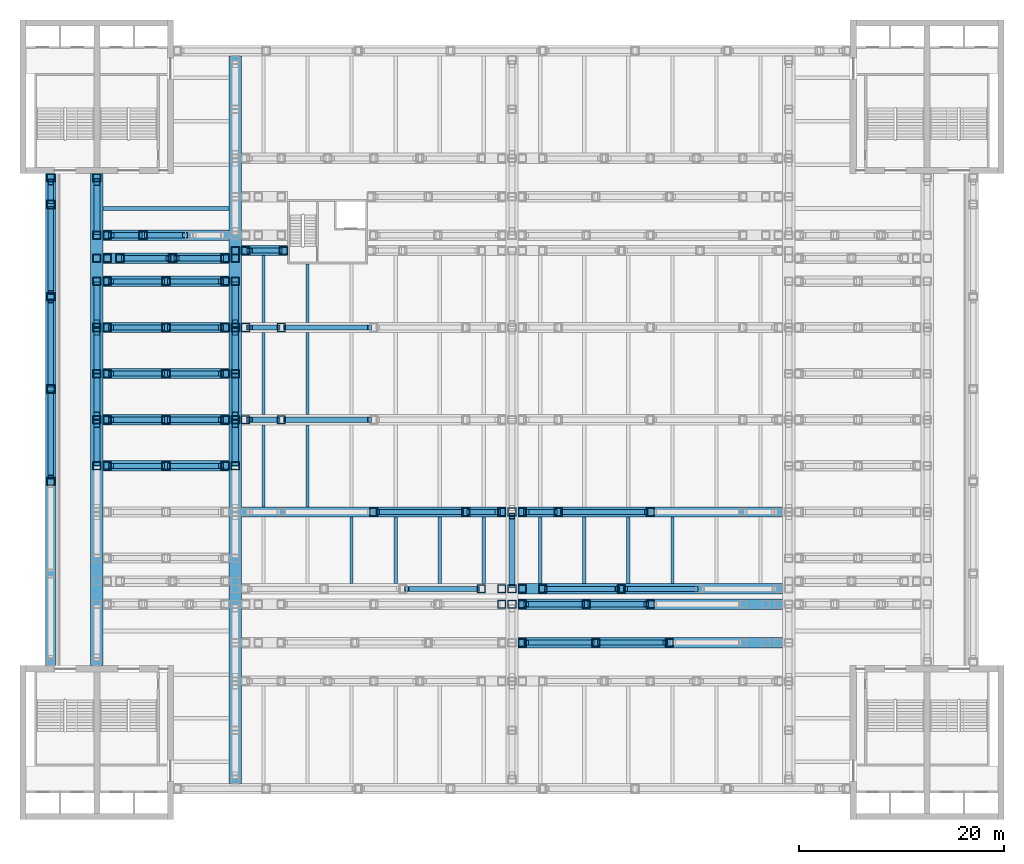
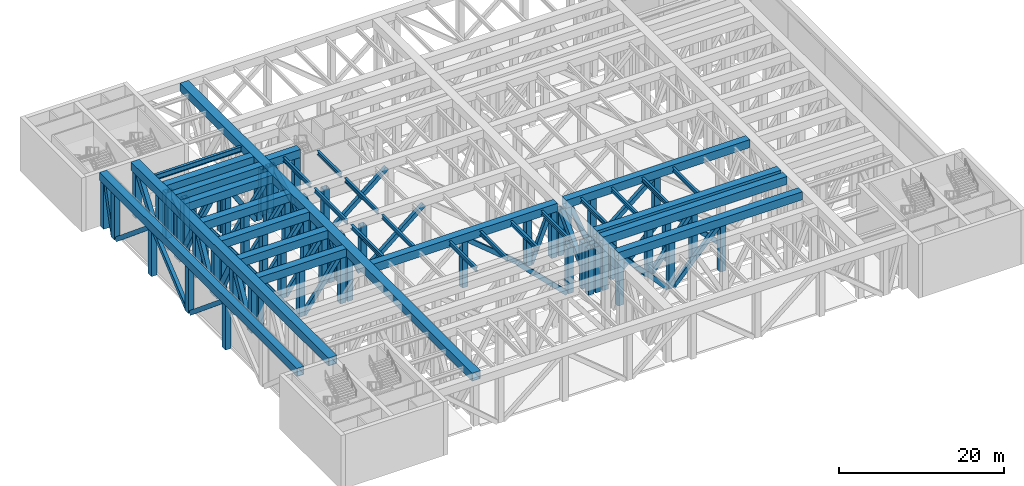
# One storey, part 2 of 20: 128 members, 15 beams.
"""IFC4 building model written with IfcOpenShell, lengths in metres."""

from ifc_helpers import new_model, si_unit, direction, frame, origin, origin_2d, place, context, subcontext, project, spatial, hollow_rectangle, i_section, extrude, material, material_profile, profile_set, type_object, element, save


model = new_model("IFC4")

# Units and contexts
model_context = context("Model", 3, precision=1e-05, world=origin(), true_north=direction((0.0, 1.0)))
body_context = subcontext(model_context, "Body", "Model", "MODEL_VIEW")
ifc_project = project(units=[si_unit("LENGTHUNIT", "METRE"), si_unit("AREAUNIT", "SQUARE_METRE"), si_unit("VOLUMEUNIT", "CUBIC_METRE"), si_unit("PLANEANGLEUNIT", "RADIAN"), si_unit("MASSUNIT", "GRAM", prefix="KILO")], contexts=[model_context])

# Site, building, storey
site_placement = place(None, origin())
site = spatial("IfcSite", under=ifc_project, at=site_placement, CompositionType="ELEMENT")
building_placement = place(site_placement, origin())
building = spatial("IfcBuilding", under=site, at=building_placement, Name="Corbelhall Arena Tower", CompositionType="ELEMENT")
storey_placement = place(building_placement, frame((0.0, 0.0, 44.0)))
storey = spatial("IfcBuildingStorey", under=building, at=storey_placement, Name="L06", CompositionType="ELEMENT", Elevation=44.0)

# Beams
ifc_material_1 = material(Name="Steel ASTM A992 Gr50", Category="steel")
ifc_material_profile_1 = material_profile(ifc_material_1, i_section(OverallWidth=0.323974609375, OverallDepth=0.611083984375, WebThickness=0.0126953125, FlangeThickness=0.01904296875, at=origin_2d()))
ifc_profile_set_1 = profile_set([ifc_material_profile_1], Name="Steel ASTM A992 Gr50")
beam_type_1 = type_object("IfcBeamType", Name="PO-BEAM-W24X104", PredefinedType="BEAM", material=ifc_profile_set_1)
for number, where, z_axis, x_axis, name in (
    (1, (-15.64990234375, -16.0, 7.39453125), (0.0, 1.0, 0.0), (-1.0, 0.0, 0.0), "DECK BEAM MID 21.3"),
    (2, (-11.35009765625, -16.0, 7.39453125), (0.0, 1.0, 0.0), (-1.0, 0.0, 0.0), "DECK BEAM MID 21.4"),
    (3, (-7.050048828125, -16.0, 7.39453125), (0.0, 1.0, 0.0), (-1.0, 0.0, 0.0), "DECK BEAM MID 21.5"),
    (4, (-2.75, -16.0, 7.39453125), (0.0, 1.0, 0.0), (-1.0, 0.0, 0.0), "DECK BEAM MID 21.6"),
):
    element("IfcBeam", number, at=place(storey_placement, frame(where, z_axis=z_axis, x_axis=x_axis)), inside=storey, type_object=beam_type_1, Name=name, PredefinedType="BEAM", context=body_context, shape_type="SweptSolid", body=[
        extrude(i_section(OverallWidth=0.323974609375, OverallDepth=0.611083984375, WebThickness=0.0126953125, FlangeThickness=0.01904296875, at=origin_2d()), origin(), (0.0, 0.0, 1.0), 6.5),
    ])
for number, where, z_axis, x_axis, name in (
    (5, (-24.25, -8.5, 7.39453125), (0.0, 1.0, 0.0), (-1.0, 0.0, 0.0), "DECK BEAM MID 22.1"),
    (6, (-19.949951171875, -8.5, 7.39453125), (0.0, 1.0, 0.0), (-1.0, 0.0, 0.0), "DECK BEAM MID 22.2"),
    (7, (-24.25, 0.5, 7.39453125), (0.0, 1.0, 0.0), (-1.0, 0.0, 0.0), "DECK BEAM MID 23.1"),
    (8, (-19.949951171875, 0.5, 7.39453125), (0.0, 1.0, 0.0), (-1.0, 0.0, 0.0), "DECK BEAM MID 23.2"),
):
    element("IfcBeam", number, at=place(storey_placement, frame(where, z_axis=z_axis, x_axis=x_axis)), inside=storey, type_object=beam_type_1, Name=name, PredefinedType="BEAM", context=body_context, shape_type="SweptSolid", body=[
        extrude(i_section(OverallWidth=0.323974609375, OverallDepth=0.611083984375, WebThickness=0.0126953125, FlangeThickness=0.01904296875, at=origin_2d()), origin(), (0.0, 0.0, 1.0), 8.0),
    ])
beam_1_placement = place(storey_placement, frame((-24.25, 9.5, 7.39453125), z_axis=(0.0, 1.0, 0.0), x_axis=(-1.0, 0.0, 0.0)))
element("IfcBeam", 9, at=beam_1_placement, inside=storey, type_object=beam_type_1, Name="DECK BEAM MID 25.1", PredefinedType="BEAM", context=body_context, shape_type="SweptSolid", body=[
    extrude(i_section(OverallWidth=0.323974609375, OverallDepth=0.611083984375, WebThickness=0.0126953125, FlangeThickness=0.01904296875, at=origin_2d()), origin(), (0.0, 0.0, 1.0), 6.5),
])
beam_2_placement = place(storey_placement, frame((-19.949951171875, 9.5, 7.39453125), z_axis=(0.0, 1.0, 0.0), x_axis=(-1.0, 0.0, 0.0)))
element("IfcBeam", 10, at=beam_2_placement, inside=storey, type_object=beam_type_1, Name="DECK BEAM MID 25.2", PredefinedType="BEAM", context=body_context, shape_type="SweptSolid", body=[
    extrude(i_section(OverallWidth=0.323974609375, OverallDepth=0.611083984375, WebThickness=0.0126953125, FlangeThickness=0.01904296875, at=origin_2d()), origin(), (0.0, 0.0, 1.0), 5.699951171875),
])
for number, where, z_axis, x_axis, name in (
    (11, (2.75, -16.0, 7.39453125), (0.0, 1.0, 0.0), (-1.0, 0.0, 0.0), "DECK BEAM MID 32.1"),
    (12, (7.050048828125, -16.0, 7.39453125), (0.0, 1.0, 0.0), (-1.0, 0.0, 0.0), "DECK BEAM MID 32.2"),
    (13, (11.35009765625, -16.0, 7.39453125), (0.0, 1.0, 0.0), (-1.0, 0.0, 0.0), "DECK BEAM MID 32.3"),
    (14, (15.64990234375, -16.0, 7.39453125), (0.0, 1.0, 0.0), (-1.0, 0.0, 0.0), "DECK BEAM MID 32.4"),
):
    element("IfcBeam", number, at=place(storey_placement, frame(where, z_axis=z_axis, x_axis=x_axis)), inside=storey, type_object=beam_type_1, Name=name, PredefinedType="BEAM", context=body_context, shape_type="SweptSolid", body=[
        extrude(i_section(OverallWidth=0.323974609375, OverallDepth=0.611083984375, WebThickness=0.0126953125, FlangeThickness=0.01904296875, at=origin_2d()), origin(), (0.0, 0.0, 1.0), 6.5),
    ])
ifc_material_profile_2 = material_profile(ifc_material_1, i_section(OverallWidth=0.381103515625, OverallDepth=0.77294921875, WebThickness=0.0166015625, FlangeThickness=0.027099609375, at=origin_2d()))
ifc_profile_set_2 = profile_set([ifc_material_profile_2], Name="Steel ASTM A992 Gr50")
beam_type_2 = type_object("IfcBeamType", Name="PO-BEAM-W30X173", PredefinedType="BEAM", material=ifc_profile_set_2)
beam_3_placement = place(storey_placement, frame((-39.89990234375, 20.625, 7.3134765625), z_axis=(1.0, 0.0, 0.0), x_axis=(0.0, 1.0, 0.0)))
element("IfcBeam", 15, at=beam_3_placement, inside=storey, type_object=beam_type_2, Name="DECK BEAM MID 13.1", PredefinedType="BEAM", context=body_context, shape_type="SweptSolid", body=[
    extrude(i_section(OverallWidth=0.381103515625, OverallDepth=0.77294921875, WebThickness=0.0166015625, FlangeThickness=0.027099609375, at=origin_2d()), origin(), (0.0, 0.0, 1.0), 12.2998046875),
])

# Members
ifc_material_2 = material(Name="Steel ASTM A572 Gr50", Category="steel")
ifc_material_profile_3 = material_profile(ifc_material_2, hollow_rectangle(XDim=0.5, YDim=0.60009765625, WallThickness=0.030029296875, at=origin_2d()))
ifc_profile_set_3 = profile_set([ifc_material_profile_3], Name="Steel ASTM A572 Gr50")
member_type_1 = type_object("IfcMemberType", Name="PO-BRACE-600X500X30", PredefinedType="BRACE", material=ifc_profile_set_3)
for number, where, z_axis, x_axis, name in (
    (16, (-45.0, -5.60009765625, 6.800048828125), (0.0, 0.769763178873, -0.638329576669), (-1.0, 0.0, 0.0), "TRUSS EDGE-W BRACE 1.3"),
    (17, (-45.0, 3.39990234375, 0.0), (0.0, 0.769763178873, 0.638329576669), (-1.0, 0.0, 0.0), "TRUSS EDGE-W BRACE 1.4"),
    (18, (-45.0, 12.39990234375, 6.800048828125), (0.0, 0.769763178873, -0.638329576669), (-1.0, 0.0, 0.0), "TRUSS EDGE-W BRACE 1.5"),
):
    element("IfcMember", number, at=place(storey_placement, frame(where, z_axis=z_axis, x_axis=x_axis)), inside=storey, type_object=member_type_1, Name=name, PredefinedType="BRACE", context=body_context, shape_type="SweptSolid", body=[
        extrude(hollow_rectangle(XDim=0.5, YDim=0.60009765625, WallThickness=0.030029296875, at=origin_2d()), origin(), (0.0, 0.0, 1.0), 10.65283203125),
    ])
member_1_placement = place(storey_placement, frame((-45.0, 21.39990234375, 0.0), z_axis=(0.0, 0.255897330119, 0.966703965254), x_axis=(-1.0, 0.0, 0.0)))
element("IfcMember", 19, at=member_1_placement, inside=storey, type_object=member_type_1, Name="TRUSS EDGE-W BRACE 1.6", PredefinedType="BRACE", context=body_context, shape_type="SweptSolid", body=[
    extrude(hollow_rectangle(XDim=0.5, YDim=0.60009765625, WallThickness=0.030029296875, at=origin_2d()), origin(), (0.0, 0.0, 1.0), 7.0341796875),
])
for number, where, z_axis, x_axis, name in (
    (20, (1.39990234375, -21.75, 6.800048828125), (0.683464108742, 0.0, -0.729984117677), (0.0, 1.0, 0.0), "TRUSS SEC-S21.75-2 BRACE 1.1"),
    (21, (8.566650390625, -21.75, 0.0), (0.683464108742, 0.0, 0.729984117677), (0.0, 1.0, 0.0), "TRUSS SEC-S21.75-2 BRACE 1.2"),
):
    element("IfcMember", number, at=place(storey_placement, frame(where, z_axis=z_axis, x_axis=x_axis)), inside=storey, type_object=member_type_1, Name=name, PredefinedType="BRACE", context=body_context, shape_type="SweptSolid", body=[
        extrude(hollow_rectangle(XDim=0.5, YDim=0.60009765625, WallThickness=0.030029296875, at=origin_2d()), origin(), (0.0, 0.0, 1.0), 9.3154296875),
    ])
for number, where, z_axis, x_axis, name in (
    (22, (1.39990234375, -18.0, 6.800048828125), (0.625405411621, 0.0, -0.780299987899), (0.0, 1.0, 0.0), "TRUSS SEC-S18.00-2 BRACE 1.1"),
    (23, (7.64990234375, -18.0, 0.0), (0.625405411621, 0.0, 0.780299987899), (0.0, 1.0, 0.0), "TRUSS SEC-S18.00-2 BRACE 1.2"),
):
    element("IfcMember", number, at=place(storey_placement, frame(where, z_axis=z_axis, x_axis=x_axis)), inside=storey, type_object=member_type_1, Name=name, PredefinedType="BRACE", context=body_context, shape_type="SweptSolid", body=[
        extrude(hollow_rectangle(XDim=0.5, YDim=0.60009765625, WallThickness=0.030029296875, at=origin_2d()), origin(), (0.0, 0.0, 1.0), 8.714599609375),
    ])
for number, where, z_axis, x_axis, name in (
    (24, (-10.2666015625, -16.5, 6.800048828125), (0.71054677033, 0.0, -0.703649974898), (0.0, 1.0, 0.0), "TRUSS SEC-S16.50-1 BRACE 1.3"),
    (25, (3.39990234375, -16.5, 0.0), (0.71054677033, 0.0, 0.703649974898), (0.0, 1.0, 0.0), "TRUSS SEC-S16.50-2 BRACE 1.2"),
    (26, (11.066650390625, -16.5, 6.800048828125), (0.71054677033, 0.0, -0.703649974898), (0.0, 1.0, 0.0), "TRUSS SEC-S16.50-2 BRACE 1.3"),
):
    element("IfcMember", number, at=place(storey_placement, frame(where, z_axis=z_axis, x_axis=x_axis)), inside=storey, type_object=member_type_1, Name=name, PredefinedType="BRACE", context=body_context, shape_type="SweptSolid", body=[
        extrude(hollow_rectangle(XDim=0.5, YDim=0.60009765625, WallThickness=0.030029296875, at=origin_2d()), origin(), (0.0, 0.0, 1.0), 9.6640625),
    ])
member_2_placement = place(storey_placement, frame((-13.10009765625, -9.0, 6.800048828125), z_axis=(0.769763178873, 0.0, -0.638329576669), x_axis=(0.0, 1.0, 0.0)))
element("IfcMember", 27, at=member_2_placement, inside=storey, type_object=member_type_1, Name="TRUSS SEC-S09.00-1 BRACE 1.3", PredefinedType="BRACE", context=body_context, shape_type="SweptSolid", body=[
    extrude(hollow_rectangle(XDim=0.5, YDim=0.60009765625, WallThickness=0.030029296875, at=origin_2d()), origin(), (0.0, 0.0, 1.0), 10.65283203125),
])
for number, where, z_axis, x_axis, name in (
    (28, (-4.10009765625, -9.0, 0.0), (0.369053718093, 0.0, 0.929408066008), (0.0, 1.0, 0.0), "TRUSS SEC-S09.00-1 BRACE 1.4"),
    (29, (1.39990234375, -9.0, 6.800048828125), (0.369053718093, 0.0, -0.929408066008), (0.0, 1.0, 0.0), "TRUSS SEC-S09.00-2 BRACE 1.1"),
):
    element("IfcMember", number, at=place(storey_placement, frame(where, z_axis=z_axis, x_axis=x_axis)), inside=storey, type_object=member_type_1, Name=name, PredefinedType="BRACE", context=body_context, shape_type="SweptSolid", body=[
        extrude(hollow_rectangle(XDim=0.5, YDim=0.60009765625, WallThickness=0.030029296875, at=origin_2d()), origin(), (0.0, 0.0, 1.0), 7.316650390625),
    ])
member_3_placement = place(storey_placement, frame((4.89990234375, -9.0, 0.0), z_axis=(0.769763178873, 0.0, 0.638329576669), x_axis=(0.0, 1.0, 0.0)))
element("IfcMember", 30, at=member_3_placement, inside=storey, type_object=member_type_1, Name="TRUSS SEC-S09.00-2 BRACE 1.2", PredefinedType="BRACE", context=body_context, shape_type="SweptSolid", body=[
    extrude(hollow_rectangle(XDim=0.5, YDim=0.60009765625, WallThickness=0.030029296875, at=origin_2d()), origin(), (0.0, 0.0, 1.0), 10.65283203125),
])
for number, where, z_axis, x_axis, name in (
    (31, (-39.10009765625, -4.5, 6.800048828125), (0.588537525925, 0.0, -0.808469900848), (0.0, 1.0, 0.0), "TRUSS SEC-S04.50-0 BRACE 1.1"),
    (32, (-33.35009765625, -4.5, 0.0), (0.588537525925, 0.0, 0.808469900848), (0.0, 1.0, 0.0), "TRUSS SEC-S04.50-0 BRACE 1.2"),
    (33, (-39.10009765625, 0.0, 6.800048828125), (0.588537525925, 0.0, -0.808469900848), (0.0, 1.0, 0.0), "TRUSS SEC-N00.00-0 BRACE 1.1"),
    (34, (-33.35009765625, 0.0, 0.0), (0.588537525925, 0.0, 0.808469900848), (0.0, 1.0, 0.0), "TRUSS SEC-N00.00-0 BRACE 1.2"),
):
    element("IfcMember", number, at=place(storey_placement, frame(where, z_axis=z_axis, x_axis=x_axis)), inside=storey, type_object=member_type_1, Name=name, PredefinedType="BRACE", context=body_context, shape_type="SweptSolid", body=[
        extrude(hollow_rectangle(XDim=0.5, YDim=0.60009765625, WallThickness=0.030029296875, at=origin_2d()), origin(), (0.0, 0.0, 1.0), 8.410888671875),
    ])
member_4_placement = place(storey_placement, frame((-25.60009765625, 0.0, 6.800048828125), z_axis=(0.369053718093, 0.0, -0.929408066008), x_axis=(0.0, 1.0, 0.0)))
element("IfcMember", 35, at=member_4_placement, inside=storey, type_object=member_type_1, Name="TRUSS SEC-N00.00-1 BRACE 1.1", PredefinedType="BRACE", context=body_context, shape_type="SweptSolid", body=[
    extrude(hollow_rectangle(XDim=0.5, YDim=0.60009765625, WallThickness=0.030029296875, at=origin_2d()), origin(), (0.0, 0.0, 1.0), 7.316650390625),
])
member_5_placement = place(storey_placement, frame((-22.10009765625, 0.0, 0.0), z_axis=(0.769763178873, 0.0, 0.638329576669), x_axis=(0.0, 1.0, 0.0)))
element("IfcMember", 36, at=member_5_placement, inside=storey, type_object=member_type_1, Name="TRUSS SEC-N00.00-1 BRACE 1.2", PredefinedType="BRACE", context=body_context, shape_type="SweptSolid", body=[
    extrude(hollow_rectangle(XDim=0.5, YDim=0.60009765625, WallThickness=0.030029296875, at=origin_2d()), origin(), (0.0, 0.0, 1.0), 10.65283203125),
])
for number, where, z_axis, x_axis, name in (
    (37, (-39.10009765625, 4.5, 6.800048828125), (0.588537525925, 0.0, -0.808469900848), (0.0, 1.0, 0.0), "TRUSS SEC-N04.50-0 BRACE 1.1"),
    (38, (-33.35009765625, 4.5, 0.0), (0.588537525925, 0.0, 0.808469900848), (0.0, 1.0, 0.0), "TRUSS SEC-N04.50-0 BRACE 1.2"),
    (39, (-39.10009765625, 9.0, 6.800048828125), (0.588537525925, 0.0, -0.808469900848), (0.0, 1.0, 0.0), "TRUSS SEC-N09.00-0 BRACE 1.1"),
    (40, (-33.35009765625, 9.0, 0.0), (0.588537525925, 0.0, 0.808469900848), (0.0, 1.0, 0.0), "TRUSS SEC-N09.00-0 BRACE 1.2"),
):
    element("IfcMember", number, at=place(storey_placement, frame(where, z_axis=z_axis, x_axis=x_axis)), inside=storey, type_object=member_type_1, Name=name, PredefinedType="BRACE", context=body_context, shape_type="SweptSolid", body=[
        extrude(hollow_rectangle(XDim=0.5, YDim=0.60009765625, WallThickness=0.030029296875, at=origin_2d()), origin(), (0.0, 0.0, 1.0), 8.410888671875),
    ])
member_6_placement = place(storey_placement, frame((-25.60009765625, 9.0, 6.800048828125), z_axis=(0.369053718093, 0.0, -0.929408066008), x_axis=(0.0, 1.0, 0.0)))
element("IfcMember", 41, at=member_6_placement, inside=storey, type_object=member_type_1, Name="TRUSS SEC-N09.00-1 BRACE 1.1", PredefinedType="BRACE", context=body_context, shape_type="SweptSolid", body=[
    extrude(hollow_rectangle(XDim=0.5, YDim=0.60009765625, WallThickness=0.030029296875, at=origin_2d()), origin(), (0.0, 0.0, 1.0), 7.316650390625),
])
member_7_placement = place(storey_placement, frame((-22.10009765625, 9.0, 0.0), z_axis=(0.769763178873, 0.0, 0.638329576669), x_axis=(0.0, 1.0, 0.0)))
element("IfcMember", 42, at=member_7_placement, inside=storey, type_object=member_type_1, Name="TRUSS SEC-N09.00-1 BRACE 1.2", PredefinedType="BRACE", context=body_context, shape_type="SweptSolid", body=[
    extrude(hollow_rectangle(XDim=0.5, YDim=0.60009765625, WallThickness=0.030029296875, at=origin_2d()), origin(), (0.0, 0.0, 1.0), 10.65283203125),
])
for number, where, z_axis, x_axis, name in (
    (43, (-39.10009765625, 13.5, 6.800048828125), (0.588537525925, 0.0, -0.808469900848), (0.0, 1.0, 0.0), "TRUSS SEC-N13.50-0 BRACE 1.1"),
    (44, (-33.35009765625, 13.5, 0.0), (0.588537525925, 0.0, 0.808469900848), (0.0, 1.0, 0.0), "TRUSS SEC-N13.50-0 BRACE 1.2"),
):
    element("IfcMember", number, at=place(storey_placement, frame(where, z_axis=z_axis, x_axis=x_axis)), inside=storey, type_object=member_type_1, Name=name, PredefinedType="BRACE", context=body_context, shape_type="SweptSolid", body=[
        extrude(hollow_rectangle(XDim=0.5, YDim=0.60009765625, WallThickness=0.030029296875, at=origin_2d()), origin(), (0.0, 0.0, 1.0), 8.410888671875),
    ])
for number, where, z_axis, x_axis, name in (
    (45, (-37.85009765625, 15.75, 0.0), (0.536689259852, 0.0, 0.843779970347), (0.0, 1.0, 0.0), "TRUSS SEC-N15.75-0 BRACE 1.2"),
    (46, (-32.72509765625, 15.75, 6.800048828125), (0.536689259852, 0.0, -0.843779970347), (0.0, 1.0, 0.0), "TRUSS SEC-N15.75-0 BRACE 1.3"),
):
    element("IfcMember", number, at=place(storey_placement, frame(where, z_axis=z_axis, x_axis=x_axis)), inside=storey, type_object=member_type_1, Name=name, PredefinedType="BRACE", context=body_context, shape_type="SweptSolid", body=[
        extrude(hollow_rectangle(XDim=0.5, YDim=0.60009765625, WallThickness=0.030029296875, at=origin_2d()), origin(), (0.0, 0.0, 1.0), 8.05908203125),
    ])
member_8_placement = place(storey_placement, frame((-25.60009765625, 16.5, 6.800048828125), z_axis=(0.392300477515, 0.0, -0.919837124355), x_axis=(0.0, 1.0, 0.0)))
element("IfcMember", 47, at=member_8_placement, inside=storey, type_object=member_type_1, Name="TRUSS SEC-N16.50-1W BRACE 1.1", PredefinedType="BRACE", context=body_context, shape_type="SweptSolid", body=[
    extrude(hollow_rectangle(XDim=0.5, YDim=0.60009765625, WallThickness=0.030029296875, at=origin_2d()), origin(), (0.0, 0.0, 1.0), 7.392578125),
])
member_9_placement = place(storey_placement, frame((-39.10009765625, 18.0, 6.800048828125), z_axis=(0.369053718093, 0.0, -0.929408066008), x_axis=(0.0, 1.0, 0.0)))
element("IfcMember", 48, at=member_9_placement, inside=storey, type_object=member_type_1, Name="TRUSS SEC-N18.00-0 BRACE 1.1", PredefinedType="BRACE", context=body_context, shape_type="SweptSolid", body=[
    extrude(hollow_rectangle(XDim=0.5, YDim=0.60009765625, WallThickness=0.030029296875, at=origin_2d()), origin(), (0.0, 0.0, 1.0), 7.316650390625),
])
member_10_placement = place(storey_placement, frame((-35.60009765625, 18.0, 0.0), z_axis=(0.477963647565, 0.0, 0.878379617026), x_axis=(0.0, 1.0, 0.0)))
element("IfcMember", 49, at=member_10_placement, inside=storey, type_object=member_type_1, Name="TRUSS SEC-N18.00-0 BRACE 1.2", PredefinedType="BRACE", context=body_context, shape_type="SweptSolid", body=[
    extrude(hollow_rectangle(XDim=0.5, YDim=0.60009765625, WallThickness=0.030029296875, at=origin_2d()), origin(), (0.0, 0.0, 1.0), 7.74169921875),
])
ifc_material_profile_4 = material_profile(ifc_material_2, hollow_rectangle(XDim=0.60009765625, YDim=0.800048828125, WallThickness=0.0400390625, at=origin_2d()))
ifc_profile_set_4 = profile_set([ifc_material_profile_4], Name="Steel ASTM A572 Gr50")
member_type_2 = type_object("IfcMemberType", Name="PO-BRACE-800X600X40", PredefinedType="BRACE", material=ifc_profile_set_4)
for number, where, z_axis, x_axis, name in (
    (50, (-40.5, -4.10009765625, 0.0), (0.0, 0.477963647565, 0.878379617026), (-1.0, 0.0, 0.0), "TRUSS PRI--40.5 BRACE 1.6"),
    (51, (-40.5, 0.39990234375, 6.800048828125), (0.0, 0.477963647565, -0.878379617026), (-1.0, 0.0, 0.0), "TRUSS PRI--40.5 BRACE 1.7"),
    (52, (-40.5, 4.89990234375, 0.0), (0.0, 0.477963647565, 0.878379617026), (-1.0, 0.0, 0.0), "TRUSS PRI--40.5 BRACE 1.8"),
    (53, (-40.5, 9.39990234375, 6.800048828125), (0.0, 0.477963647565, -0.878379617026), (-1.0, 0.0, 0.0), "TRUSS PRI--40.5 BRACE 1.9"),
):
    element("IfcMember", number, at=place(storey_placement, frame(where, z_axis=z_axis, x_axis=x_axis)), inside=storey, type_object=member_type_2, Name=name, PredefinedType="BRACE", context=body_context, shape_type="SweptSolid", body=[
        extrude(hollow_rectangle(XDim=0.60009765625, YDim=0.800048828125, WallThickness=0.0400390625, at=origin_2d()), origin(), (0.0, 0.0, 1.0), 7.74169921875),
    ])
member_11_placement = place(storey_placement, frame((-40.5, 18.39990234375, 0.0), z_axis=(0.0, 0.576684349177, 0.816967050385), x_axis=(-1.0, 0.0, 0.0)))
element("IfcMember", 54, at=member_11_placement, inside=storey, type_object=member_type_2, Name="TRUSS PRI--40.5 BRACE 1.12", PredefinedType="BRACE", context=body_context, shape_type="SweptSolid", body=[
    extrude(hollow_rectangle(XDim=0.60009765625, YDim=0.800048828125, WallThickness=0.0400390625, at=origin_2d()), origin(), (0.0, 0.0, 1.0), 8.323486328125),
])
for number, where, z_axis, x_axis, name in (
    (55, (-27.0, -4.10009765625, 0.0), (0.0, 0.477963647565, 0.878379617026), (-1.0, 0.0, 0.0), "TRUSS PRI--27.0 BRACE 1.10"),
    (56, (-27.0, 0.39990234375, 6.800048828125), (0.0, 0.477963647565, -0.878379617026), (-1.0, 0.0, 0.0), "TRUSS PRI--27.0 BRACE 1.11"),
    (57, (-27.0, 4.89990234375, 0.0), (0.0, 0.477963647565, 0.878379617026), (-1.0, 0.0, 0.0), "TRUSS PRI--27.0 BRACE 1.12"),
    (58, (-27.0, 9.39990234375, 6.800048828125), (0.0, 0.477963647565, -0.878379617026), (-1.0, 0.0, 0.0), "TRUSS PRI--27.0 BRACE 1.13"),
):
    element("IfcMember", number, at=place(storey_placement, frame(where, z_axis=z_axis, x_axis=x_axis)), inside=storey, type_object=member_type_2, Name=name, PredefinedType="BRACE", context=body_context, shape_type="SweptSolid", body=[
        extrude(hollow_rectangle(XDim=0.60009765625, YDim=0.800048828125, WallThickness=0.0400390625, at=origin_2d()), origin(), (0.0, 0.0, 1.0), 7.74169921875),
    ])
member_12_placement = place(storey_placement, frame((0.0, -16.10009765625, 0.0), z_axis=(0.0, 0.701857522338, 0.712317357881), x_axis=(-1.0, 0.0, 0.0)))
element("IfcMember", 59, at=member_12_placement, inside=storey, type_object=member_type_2, Name="TRUSS PRI-+0.0 BRACE 1.6", PredefinedType="BRACE", context=body_context, shape_type="SweptSolid", body=[
    extrude(hollow_rectangle(XDim=0.60009765625, YDim=0.800048828125, WallThickness=0.0400390625, at=origin_2d()), origin(), (0.0, 0.0, 1.0), 9.54638671875),
])
ifc_material_profile_5 = material_profile(ifc_material_2, hollow_rectangle(XDim=1.0, YDim=1.199951171875, WallThickness=0.06005859375, at=origin_2d()))
ifc_profile_set_5 = profile_set([ifc_material_profile_5], Name="Steel ASTM A572 Gr50")
member_type_3 = type_object("IfcMemberType", Name="PO-CHORD-1200X1000X60", PredefinedType="CHORD", material=ifc_profile_set_5)
member_13_placement = place(storey_placement, frame((-45.0, -24.0, 7.39990234375), z_axis=(0.0, 1.0, 0.0), x_axis=(-1.0, 0.0, 0.0)))
element("IfcMember", 60, at=member_13_placement, inside=storey, type_object=member_type_3, Name="TRUSS EDGE-W MID CHORD", PredefinedType="CHORD", context=body_context, shape_type="SweptSolid", body=[
    extrude(hollow_rectangle(XDim=1.0, YDim=1.199951171875, WallThickness=0.06005859375, at=origin_2d()), origin(), (0.0, 0.0, 1.0), 48.0),
])
for number, where, z_axis, x_axis, name in (
    (61, (0.60009765625, -21.75, 7.39990234375), (1.0, 0.0, 0.0), (0.0, 1.0, 0.0), "TRUSS SEC-S21.75-2 MID CHORD"),
    (62, (0.60009765625, -18.0, 7.39990234375), (1.0, 0.0, 0.0), (0.0, 1.0, 0.0), "TRUSS SEC-S18.00-2 MID CHORD"),
    (63, (0.60009765625, -16.5, 7.39990234375), (1.0, 0.0, 0.0), (0.0, 1.0, 0.0), "TRUSS SEC-S16.50-2 MID CHORD"),
    (64, (-26.39990234375, -9.0, 7.39990234375), (1.0, 0.0, 0.0), (0.0, 1.0, 0.0), "TRUSS SEC-S09.00-1 MID CHORD"),
    (65, (0.60009765625, -9.0, 7.39990234375), (1.0, 0.0, 0.0), (0.0, 1.0, 0.0), "TRUSS SEC-S09.00-2 MID CHORD"),
):
    element("IfcMember", number, at=place(storey_placement, frame(where, z_axis=z_axis, x_axis=x_axis)), inside=storey, type_object=member_type_3, Name=name, PredefinedType="CHORD", context=body_context, shape_type="SweptSolid", body=[
        extrude(hollow_rectangle(XDim=1.0, YDim=1.199951171875, WallThickness=0.06005859375, at=origin_2d()), origin(), (0.0, 0.0, 1.0), 25.7998046875),
    ])
for number, where, z_axis, x_axis, name in (
    (66, (-39.89990234375, -4.5, 7.39990234375), (1.0, 0.0, 0.0), (0.0, 1.0, 0.0), "TRUSS SEC-S04.50-0 MID CHORD"),
    (67, (-39.89990234375, 0.0, 7.39990234375), (1.0, 0.0, 0.0), (0.0, 1.0, 0.0), "TRUSS SEC-N00.00-0 MID CHORD"),
    (68, (-39.89990234375, 4.5, 7.39990234375), (1.0, 0.0, 0.0), (0.0, 1.0, 0.0), "TRUSS SEC-N04.50-0 MID CHORD"),
    (69, (-39.89990234375, 9.0, 7.39990234375), (1.0, 0.0, 0.0), (0.0, 1.0, 0.0), "TRUSS SEC-N09.00-0 MID CHORD"),
    (70, (-39.89990234375, 13.5, 7.39990234375), (1.0, 0.0, 0.0), (0.0, 1.0, 0.0), "TRUSS SEC-N13.50-0 MID CHORD"),
    (71, (-39.89990234375, 15.75, 7.39990234375), (1.0, 0.0, 0.0), (0.0, 1.0, 0.0), "TRUSS SEC-N15.75-0 MID CHORD"),
):
    element("IfcMember", number, at=place(storey_placement, frame(where, z_axis=z_axis, x_axis=x_axis)), inside=storey, type_object=member_type_3, Name=name, PredefinedType="CHORD", context=body_context, shape_type="SweptSolid", body=[
        extrude(hollow_rectangle(XDim=1.0, YDim=1.199951171875, WallThickness=0.06005859375, at=origin_2d()), origin(), (0.0, 0.0, 1.0), 12.2998046875),
    ])
member_14_placement = place(storey_placement, frame((-26.39990234375, 16.5, 7.39990234375), z_axis=(1.0, 0.0, 0.0), x_axis=(0.0, 1.0, 0.0)))
element("IfcMember", 72, at=member_14_placement, inside=storey, type_object=member_type_3, Name="TRUSS SEC-N16.50-1W MID CHORD", PredefinedType="CHORD", context=body_context, shape_type="SweptSolid", body=[
    extrude(hollow_rectangle(XDim=1.0, YDim=1.199951171875, WallThickness=0.06005859375, at=origin_2d()), origin(), (0.0, 0.0, 1.0), 4.5),
])
member_15_placement = place(storey_placement, frame((-39.89990234375, 18.0, 7.39990234375), z_axis=(1.0, 0.0, 0.0), x_axis=(0.0, 1.0, 0.0)))
element("IfcMember", 73, at=member_15_placement, inside=storey, type_object=member_type_3, Name="TRUSS SEC-N18.00-0 MID CHORD", PredefinedType="CHORD", context=body_context, shape_type="SweptSolid", body=[
    extrude(hollow_rectangle(XDim=1.0, YDim=1.199951171875, WallThickness=0.06005859375, at=origin_2d()), origin(), (0.0, 0.0, 1.0), 12.2998046875),
])
ifc_material_profile_6 = material_profile(ifc_material_2, hollow_rectangle(XDim=1.199951171875, YDim=1.199951171875, WallThickness=0.080078125, at=origin_2d()))
ifc_profile_set_6 = profile_set([ifc_material_profile_6], Name="Steel ASTM A572 Gr50")
member_type_4 = type_object("IfcMemberType", Name="PO-CHORD-1200X1200X80", PredefinedType="CHORD", material=ifc_profile_set_6)
member_16_placement = place(storey_placement, frame((-40.5, -24.0, 7.39990234375), z_axis=(0.0, 1.0, 0.0), x_axis=(-1.0, 0.0, 0.0)))
element("IfcMember", 74, at=member_16_placement, inside=storey, type_object=member_type_4, Name="TRUSS PRI--40.5 MID CHORD", PredefinedType="CHORD", context=body_context, shape_type="SweptSolid", body=[
    extrude(hollow_rectangle(XDim=1.199951171875, YDim=1.199951171875, WallThickness=0.080078125, at=origin_2d()), origin(), (0.0, 0.0, 1.0), 48.0),
])
member_17_placement = place(storey_placement, frame((-27.0, -35.5, 7.39990234375), z_axis=(0.0, 1.0, 0.0), x_axis=(-1.0, 0.0, 0.0)))
element("IfcMember", 75, at=member_17_placement, inside=storey, type_object=member_type_4, Name="TRUSS PRI--27.0 MID CHORD", PredefinedType="CHORD", context=body_context, shape_type="SweptSolid", body=[
    extrude(hollow_rectangle(XDim=1.199951171875, YDim=1.199951171875, WallThickness=0.080078125, at=origin_2d()), origin(), (0.0, 0.0, 1.0), 71.0),
])
ifc_material_profile_7 = material_profile(ifc_material_2, hollow_rectangle(XDim=0.800048828125, YDim=0.800048828125, WallThickness=0.050048828125, at=origin_2d()))
ifc_profile_set_7 = profile_set([ifc_material_profile_7], Name="Steel ASTM A572 Gr50")
member_type_5 = type_object("IfcMemberType", Name="PO-POST-800", PredefinedType="POST", material=ifc_profile_set_7)
for number, where, z_axis, x_axis, name in (
    (76, (-45.0, -6.0, 0.0), (0.0, 0.0, 1.0), (1.0, 0.0, 0.0), "TRUSS EDGE-W POST 1.3"),
    (77, (-45.0, 3.0, 0.0), (0.0, 0.0, 1.0), (1.0, 0.0, 0.0), "TRUSS EDGE-W POST 1.4"),
    (78, (-45.0, 12.0, 0.0), (0.0, 0.0, 1.0), (1.0, 0.0, 0.0), "TRUSS EDGE-W POST 1.5"),
    (79, (-45.0, 21.0, 0.0), (0.0, 0.0, 1.0), (1.0, 0.0, 0.0), "TRUSS EDGE-W POST 1.6"),
    (80, (-45.0, 23.60009765625, 0.0), (0.0, 0.0, 1.0), (1.0, 0.0, 0.0), "TRUSS EDGE-W POST 1.7"),
    (81, (1.0, -21.75, 0.0), (0.0, 0.0, 1.0), (1.0, 0.0, 0.0), "TRUSS SEC-S21.75-2 POST 1.1"),
    (82, (8.166748046875, -21.75, 0.0), (0.0, 0.0, 1.0), (1.0, 0.0, 0.0), "TRUSS SEC-S21.75-2 POST 1.2"),
    (83, (15.333251953125, -21.75, 0.0), (0.0, 0.0, 1.0), (1.0, 0.0, 0.0), "TRUSS SEC-S21.75-2 POST 1.3"),
    (84, (-1.0, -18.0, 0.0), (0.0, 0.0, 1.0), (1.0, 0.0, 0.0), "TRUSS SEC-S18.00-1 POST 1.6"),
    (85, (1.0, -18.0, 0.0), (0.0, 0.0, 1.0), (1.0, 0.0, 0.0), "TRUSS SEC-S18.00-2 POST 1.1"),
    (86, (7.25, -18.0, 0.0), (0.0, 0.0, 1.0), (1.0, 0.0, 0.0), "TRUSS SEC-S18.00-2 POST 1.2"),
    (87, (13.5, -18.0, 0.0), (0.0, 0.0, 1.0), (1.0, 0.0, 0.0), "TRUSS SEC-S18.00-2 POST 1.3"),
    (88, (-3.0, -16.5, 0.0), (0.0, 0.0, 1.0), (1.0, 0.0, 0.0), "TRUSS SEC-S16.50-1 POST 1.4"),
    (89, (-1.0, -16.5, 0.0), (0.0, 0.0, 1.0), (1.0, 0.0, 0.0), "TRUSS SEC-S16.50-1 POST 1.5"),
    (90, (1.0, -16.5, 0.0), (0.0, 0.0, 1.0), (1.0, 0.0, 0.0), "TRUSS SEC-S16.50-2 POST 1.1"),
    (91, (3.0, -16.5, 0.0), (0.0, 0.0, 1.0), (1.0, 0.0, 0.0), "TRUSS SEC-S16.50-2 POST 1.2"),
    (92, (10.666748046875, -16.5, 0.0), (0.0, 0.0, 1.0), (1.0, 0.0, 0.0), "TRUSS SEC-S16.50-2 POST 1.3"),
    (93, (-13.5, -9.0, 0.0), (0.0, 0.0, 1.0), (1.0, 0.0, 0.0), "TRUSS SEC-S09.00-1 POST 1.3"),
    (94, (-4.5, -9.0, 0.0), (0.0, 0.0, 1.0), (1.0, 0.0, 0.0), "TRUSS SEC-S09.00-1 POST 1.4"),
    (95, (-1.0, -9.0, 0.0), (0.0, 0.0, 1.0), (1.0, 0.0, 0.0), "TRUSS SEC-S09.00-1 POST 1.5"),
    (96, (1.0, -9.0, 0.0), (0.0, 0.0, 1.0), (1.0, 0.0, 0.0), "TRUSS SEC-S09.00-2 POST 1.1"),
    (97, (4.5, -9.0, 0.0), (0.0, 0.0, 1.0), (1.0, 0.0, 0.0), "TRUSS SEC-S09.00-2 POST 1.2"),
    (98, (13.5, -9.0, 0.0), (0.0, 0.0, 1.0), (1.0, 0.0, 0.0), "TRUSS SEC-S09.00-2 POST 1.3"),
    (99, (-39.5, -4.5, 0.0), (0.0, 0.0, 1.0), (1.0, 0.0, 0.0), "TRUSS SEC-S04.50-0 POST 1.1"),
    (100, (-33.75, -4.5, 0.0), (0.0, 0.0, 1.0), (1.0, 0.0, 0.0), "TRUSS SEC-S04.50-0 POST 1.2"),
    (101, (-28.0, -4.5, 0.0), (0.0, 0.0, 1.0), (1.0, 0.0, 0.0), "TRUSS SEC-S04.50-0 POST 1.3"),
    (102, (-39.5, 0.0, 0.0), (0.0, 0.0, 1.0), (1.0, 0.0, 0.0), "TRUSS SEC-N00.00-0 POST 1.1"),
    (103, (-33.75, 0.0, 0.0), (0.0, 0.0, 1.0), (1.0, 0.0, 0.0), "TRUSS SEC-N00.00-0 POST 1.2"),
    (104, (-28.0, 0.0, 0.0), (0.0, 0.0, 1.0), (1.0, 0.0, 0.0), "TRUSS SEC-N00.00-0 POST 1.3"),
    (105, (-26.0, 0.0, 0.0), (0.0, 0.0, 1.0), (1.0, 0.0, 0.0), "TRUSS SEC-N00.00-1 POST 1.1"),
    (106, (-22.5, 0.0, 0.0), (0.0, 0.0, 1.0), (1.0, 0.0, 0.0), "TRUSS SEC-N00.00-1 POST 1.2"),
    (107, (-39.5, 4.5, 0.0), (0.0, 0.0, 1.0), (1.0, 0.0, 0.0), "TRUSS SEC-N04.50-0 POST 1.1"),
    (108, (-33.75, 4.5, 0.0), (0.0, 0.0, 1.0), (1.0, 0.0, 0.0), "TRUSS SEC-N04.50-0 POST 1.2"),
    (109, (-28.0, 4.5, 0.0), (0.0, 0.0, 1.0), (1.0, 0.0, 0.0), "TRUSS SEC-N04.50-0 POST 1.3"),
    (110, (-39.5, 9.0, 0.0), (0.0, 0.0, 1.0), (1.0, 0.0, 0.0), "TRUSS SEC-N09.00-0 POST 1.1"),
    (111, (-33.75, 9.0, 0.0), (0.0, 0.0, 1.0), (1.0, 0.0, 0.0), "TRUSS SEC-N09.00-0 POST 1.2"),
    (112, (-28.0, 9.0, 0.0), (0.0, 0.0, 1.0), (1.0, 0.0, 0.0), "TRUSS SEC-N09.00-0 POST 1.3"),
    (113, (-26.0, 9.0, 0.0), (0.0, 0.0, 1.0), (1.0, 0.0, 0.0), "TRUSS SEC-N09.00-1 POST 1.1"),
    (114, (-22.5, 9.0, 0.0), (0.0, 0.0, 1.0), (1.0, 0.0, 0.0), "TRUSS SEC-N09.00-1 POST 1.2"),
    (115, (-39.5, 13.5, 0.0), (0.0, 0.0, 1.0), (1.0, 0.0, 0.0), "TRUSS SEC-N13.50-0 POST 1.1"),
    (116, (-33.75, 13.5, 0.0), (0.0, 0.0, 1.0), (1.0, 0.0, 0.0), "TRUSS SEC-N13.50-0 POST 1.2"),
    (117, (-28.0, 13.5, 0.0), (0.0, 0.0, 1.0), (1.0, 0.0, 0.0), "TRUSS SEC-N13.50-0 POST 1.3"),
    (118, (-39.5, 15.75, 0.0), (0.0, 0.0, 1.0), (1.0, 0.0, 0.0), "TRUSS SEC-N15.75-0 POST 1.1"),
    (119, (-38.25, 15.75, 0.0), (0.0, 0.0, 1.0), (1.0, 0.0, 0.0), "TRUSS SEC-N15.75-0 POST 1.2"),
    (120, (-33.125, 15.75, 0.0), (0.0, 0.0, 1.0), (1.0, 0.0, 0.0), "TRUSS SEC-N15.75-0 POST 1.3"),
    (121, (-28.0, 15.75, 0.0), (0.0, 0.0, 1.0), (1.0, 0.0, 0.0), "TRUSS SEC-N15.75-0 POST 1.4"),
    (122, (-26.0, 16.5, 0.0), (0.0, 0.0, 1.0), (1.0, 0.0, 0.0), "TRUSS SEC-N16.50-1W POST 1.1"),
    (123, (-22.300048828125, 16.5, 0.0), (0.0, 0.0, 1.0), (1.0, 0.0, 0.0), "TRUSS SEC-N16.50-1W POST 1.2"),
    (124, (-39.5, 18.0, 0.0), (0.0, 0.0, 1.0), (1.0, 0.0, 0.0), "TRUSS SEC-N18.00-0 POST 1.1"),
    (125, (-36.0, 18.0, 0.0), (0.0, 0.0, 1.0), (1.0, 0.0, 0.0), "TRUSS SEC-N18.00-0 POST 1.2"),
    (126, (-40.5, -4.5, 0.0), (0.0, 0.0, 1.0), (1.0, 0.0, 0.0), "TRUSS PRI--40.5 POST 1.6"),
    (127, (-40.5, 0.0, 0.0), (0.0, 0.0, 1.0), (1.0, 0.0, 0.0), "TRUSS PRI--40.5 POST 1.7"),
    (128, (-40.5, 4.5, 0.0), (0.0, 0.0, 1.0), (1.0, 0.0, 0.0), "TRUSS PRI--40.5 POST 1.8"),
    (129, (-40.5, 9.0, 0.0), (0.0, 0.0, 1.0), (1.0, 0.0, 0.0), "TRUSS PRI--40.5 POST 1.9"),
    (130, (-40.5, 13.5, 0.0), (0.0, 0.0, 1.0), (1.0, 0.0, 0.0), "TRUSS PRI--40.5 POST 1.10"),
    (131, (-40.5, 15.75, 0.0), (0.0, 0.0, 1.0), (1.0, 0.0, 0.0), "TRUSS PRI--40.5 POST 1.11"),
    (132, (-40.5, 18.0, 0.0), (0.0, 0.0, 1.0), (1.0, 0.0, 0.0), "TRUSS PRI--40.5 POST 1.12"),
    (133, (-40.5, 23.60009765625, 0.0), (0.0, 0.0, 1.0), (1.0, 0.0, 0.0), "TRUSS PRI--40.5 POST 1.13"),
    (134, (-27.0, -4.5, 0.0), (0.0, 0.0, 1.0), (1.0, 0.0, 0.0), "TRUSS PRI--27.0 POST 1.10"),
    (135, (-27.0, 0.0, 0.0), (0.0, 0.0, 1.0), (1.0, 0.0, 0.0), "TRUSS PRI--27.0 POST 1.11"),
    (136, (-27.0, 4.5, 0.0), (0.0, 0.0, 1.0), (1.0, 0.0, 0.0), "TRUSS PRI--27.0 POST 1.12"),
    (137, (-27.0, 9.0, 0.0), (0.0, 0.0, 1.0), (1.0, 0.0, 0.0), "TRUSS PRI--27.0 POST 1.13"),
    (138, (-27.0, 13.5, 0.0), (0.0, 0.0, 1.0), (1.0, 0.0, 0.0), "TRUSS PRI--27.0 POST 1.14"),
    (139, (-27.0, 15.75, 0.0), (0.0, 0.0, 1.0), (1.0, 0.0, 0.0), "TRUSS PRI--27.0 POST 1.15"),
    (140, (-27.0, 16.5, 0.0), (0.0, 0.0, 1.0), (1.0, 0.0, 0.0), "TRUSS PRI--27.0 POST 1.16"),
    (141, (0.0, -18.0, 0.0), (0.0, 0.0, 1.0), (1.0, 0.0, 0.0), "TRUSS PRI-+0.0 POST 1.5"),
    (142, (0.0, -16.5, 0.0), (0.0, 0.0, 1.0), (1.0, 0.0, 0.0), "TRUSS PRI-+0.0 POST 1.6"),
    (143, (0.0, -9.0, 0.0), (0.0, 0.0, 1.0), (1.0, 0.0, 0.0), "TRUSS PRI-+0.0 POST 1.7"),
):
    element("IfcMember", number, at=place(storey_placement, frame(where, z_axis=z_axis, x_axis=x_axis)), inside=storey, type_object=member_type_5, Name=name, PredefinedType="POST", context=body_context, shape_type="SweptSolid", body=[
        extrude(hollow_rectangle(XDim=0.800048828125, YDim=0.800048828125, WallThickness=0.050048828125, at=origin_2d()), origin(), (0.0, 0.0, 1.0), 6.800048828125),
    ])

save(model, "model.ifc")
